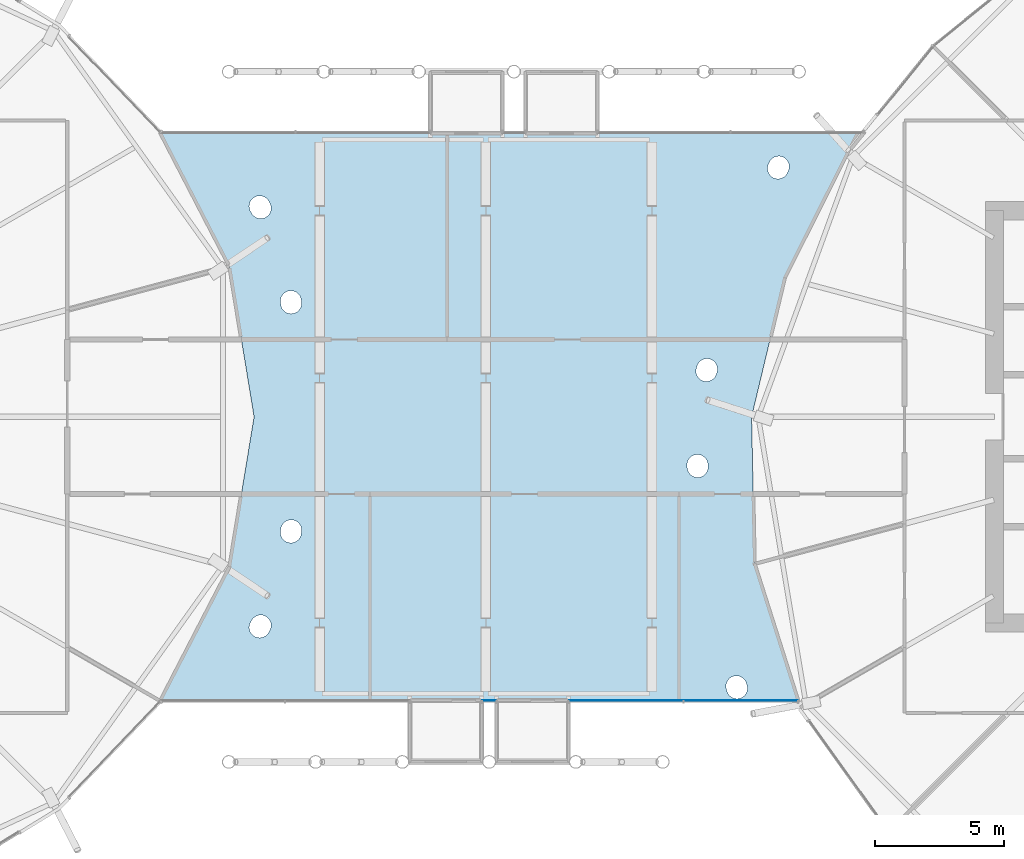
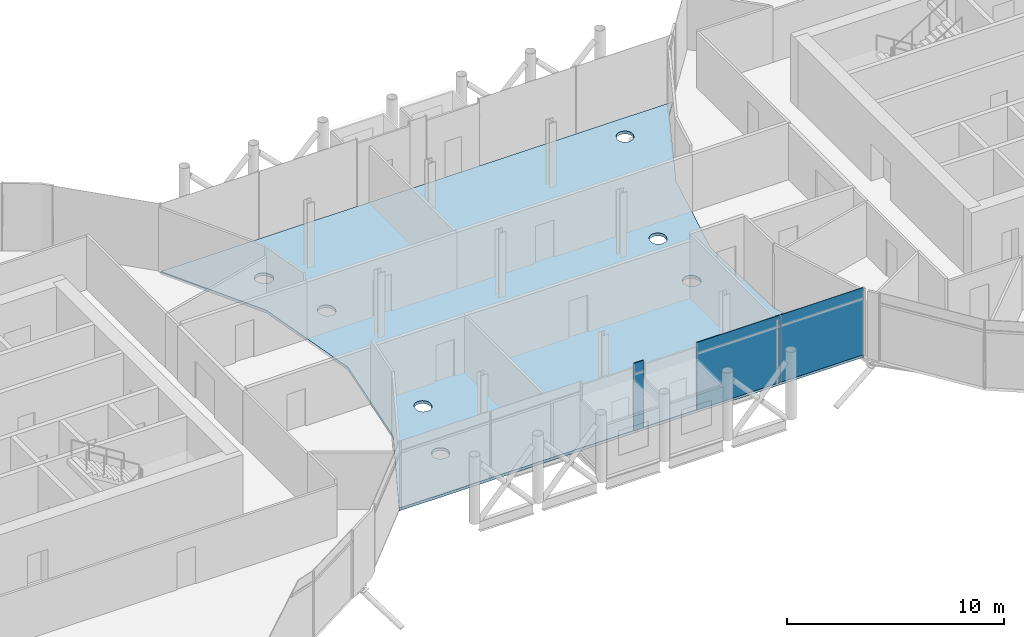
# One storey, part 21 of 40: 3 plates, 1 slab, 1 element without a shape of its own.
"""IFC4 building model written with IfcOpenShell, lengths in metres."""

from ifc_helpers import new_model, si_unit, direction, frame, origin, origin_2d, place, context, subcontext, project, spatial, polyline, rectangle, outline, extrude, material, layer, layer_set, type_object, element, aggregate, save


model = new_model("IFC4")

# Units and contexts
model_context = context("Model", 3, precision=1e-05, world=origin(), true_north=direction((0.0, 1.0)))
body_context = subcontext(model_context, "Body", "Model", "MODEL_VIEW")
ifc_project = project(units=[si_unit("LENGTHUNIT", "METRE"), si_unit("AREAUNIT", "SQUARE_METRE"), si_unit("VOLUMEUNIT", "CUBIC_METRE"), si_unit("PLANEANGLEUNIT", "RADIAN"), si_unit("MASSUNIT", "GRAM", prefix="KILO")], contexts=[model_context])

# Site, building, storey
site_placement = place(None, origin())
site = spatial("IfcSite", under=ifc_project, at=site_placement, CompositionType="ELEMENT")
building_placement = place(site_placement, origin())
building = spatial("IfcBuilding", under=site, at=building_placement, Name="Rimbun Link Towers", CompositionType="ELEMENT")
storey_placement = place(building_placement, frame((0.0, 0.0, 150.60009765625)))
storey = spatial("IfcBuildingStorey", under=building, at=storey_placement, Name="L36", CompositionType="ELEMENT", Elevation=150.60009765625)

# Curtain wall, plates
ifc_material_1 = material(Name="Aluminium 6063-T6 and low-iron glass", Category="aluminium")
curtain_wall_type = type_object("IfcCurtainWallType", Name="CW4 link block wall", PredefinedType="NOTDEFINED", material=ifc_material_1)
curtain_wall_placement = place(storey_placement, origin())
curtain_wall = element("IfcCurtainWall", 1, at=curtain_wall_placement, inside=storey, type_object=curtain_wall_type, Name="CW4 L36 LB", PredefinedType="NOTDEFINED")
ifc_material_2 = material(Name="Aluminium cladding, insulated panel", Category="aluminium")
ifc_layer_1 = layer(ifc_material_2, 0.028076171875)
ifc_layer_set_1 = layer_set([ifc_layer_1], Name="CW4 insulated panel Aluminium cladding 28")
plate_type_1 = type_object("IfcPlateType", Name="CW4 insulated panel Aluminium cladding 28", PredefinedType="CURTAIN_PANEL", material=ifc_layer_set_1)
plate_1_placement = place(storey_placement, frame((9.894287109375, -11.013916015625, 0.0), z_axis=(0.0, 0.0, 1.0), x_axis=(-1.0, 0.0, 0.0)))
plate_1 = element("IfcPlate", 2, at=plate_1_placement, type_object=plate_type_1, Name="CW4 insulated panel", PredefinedType="CURTAIN_PANEL", context=body_context, shape_type="SweptSolid", body=[
    extrude(rectangle(XDim=4.4140625, YDim=0.028076171875, at=origin_2d()), origin(), (0.0, 0.0, 1.0), 3.800048828125),
])
ifc_material_3 = material(Name="Low-iron glass, laminated low-e unit", Category="glass")
ifc_layer_2 = layer(ifc_material_3, 0.028076171875)
ifc_layer_set_2 = layer_set([ifc_layer_2], Name="CW4 panel Low-iron glass 28")
plate_type_2 = type_object("IfcPlateType", Name="CW4 panel Low-iron glass 28", PredefinedType="CURTAIN_PANEL", material=ifc_layer_set_2)
plate_2_placement = place(storey_placement, frame((5.4404296875, -11.013916015625, 0.0), z_axis=(0.0, 0.0, 1.0), x_axis=(-1.0, 0.0, 0.0)))
plate_2 = element("IfcPlate", 3, at=plate_2_placement, type_object=plate_type_2, Name="CW4 panel", PredefinedType="CURTAIN_PANEL", context=body_context, shape_type="SweptSolid", body=[
    extrude(rectangle(XDim=4.4140625, YDim=0.028076171875, at=origin_2d()), origin(), (0.0, 0.0, 1.0), 3.800048828125),
])
plate_3_placement = place(storey_placement, frame((0.12890625, -11.013916015625, 0.0), z_axis=(0.0, 0.0, 1.0), x_axis=(-1.0, 0.0, 0.0)))
plate_3 = element("IfcPlate", 4, at=plate_3_placement, type_object=plate_type_2, Name="CW4 panel", PredefinedType="CURTAIN_PANEL", context=body_context, shape_type="SweptSolid", body=[
    extrude(rectangle(XDim=0.529052734375, YDim=0.028076171875, at=origin_2d()), origin(), (0.0, 0.0, 1.0), 3.800048828125),
])
aggregate(curtain_wall, [plate_1, plate_2, plate_3])

# Slab
ifc_material_4 = material(Name="Concrete C40/50", Category="concrete")
ifc_layer_3 = layer(ifc_material_4, 0.159912109375)
ifc_layer_set_3 = layer_set([ifc_layer_3], Name="Link composite floor slab")
slab_type = type_object("IfcSlabType", Name="Link composite floor slab", PredefinedType="FLOOR", material=ifc_layer_set_3)
slab_placement = place(storey_placement, frame((0.0, 0.0, -0.16015625)))
element("IfcSlab", 5, at=slab_placement, inside=storey, type_object=slab_type, Name="Link floor slab L36", PredefinedType="FLOOR", context=body_context, shape_type="SweptSolid", body=[
    extrude(outline(polyline([(-9.956787109375, -5.839599609375), (-8.99658203125, 0.0), (-9.956787109375, 5.839599609375), (-12.626953125, 11.0), (14.66064453125, 11.0), (14.035400390625, 10.2275390625), (11.609375, 5.396728515625), (10.31884765625, 0.0), (10.439208984375, -5.710205078125), (12.121337890625, -11.0), (-12.626953125, -11.0), (-9.956787109375, -5.839599609375)]), holes=[polyline([(-8.565673828125, -8.516845703125), (-8.533203125, -8.494140625), (-8.5029296875, -8.46826171875), (-8.4755859375, -8.439453125), (-8.450927734375, -8.408203125), (-8.4296875, -8.374755859375), (-8.3876953125, -8.30078125), (-8.36962890625, -8.265380859375), (-8.355224609375, -8.228515625), (-8.344482421875, -8.190185546875), (-8.337646484375, -8.15087890625), (-8.334716796875, -8.111328125), (-8.335693359375, -8.07177734375), (-8.34033203125, -8.0322265625), (-8.34912109375, -7.993408203125), (-8.361328125, -7.955810546875), (-8.37744140625, -7.91943359375), (-8.39697265625, -7.884765625), (-8.419677734375, -7.852294921875), (-8.445556640625, -7.822021484375), (-8.474365234375, -7.794677734375), (-8.505615234375, -7.770263671875), (-8.5390625, -7.748779296875), (-8.574462890625, -7.73095703125), (-8.611572265625, -7.716552734375), (-8.64990234375, -7.705810546875), (-8.68896484375, -7.698974609375), (-8.728515625, -7.69580078125), (-8.768310546875, -7.69677734375), (-8.8076171875, -7.70166015625), (-8.846435546875, -7.710205078125), (-8.88427734375, -7.72265625), (-8.920654296875, -7.738525390625), (-8.955078125, -7.758056640625), (-8.98779296875, -7.781005859375), (-9.017822265625, -7.806884765625), (-9.04541015625, -7.83544921875), (-9.06982421875, -7.86669921875), (-9.091064453125, -7.900390625), (-9.13330078125, -7.97412109375), (-9.151123046875, -8.009521484375), (-9.16552734375, -8.046630859375), (-9.17626953125, -8.084716796875), (-9.18310546875, -8.123779296875), (-9.18603515625, -8.16357421875), (-9.185302734375, -8.203369140625), (-9.180419921875, -8.24267578125), (-9.171875, -8.281494140625), (-9.159423828125, -8.319091796875), (-9.143310546875, -8.355712890625), (-9.123779296875, -8.39013671875), (-9.10107421875, -8.422607421875), (-9.0751953125, -8.452880859375), (-9.04638671875, -8.480224609375), (-9.01513671875, -8.5048828125), (-8.981689453125, -8.526123046875), (-8.9462890625, -8.544189453125), (-8.9091796875, -8.55859375), (-8.87109375, -8.569091796875), (-8.831787109375, -8.575927734375), (-8.792236328125, -8.5791015625), (-8.75244140625, -8.578125), (-8.713134765625, -8.573486328125), (-8.67431640625, -8.564697265625), (-8.636474609375, -8.552490234375), (-8.60009765625, -8.536376953125), (-8.565673828125, -8.516845703125)]), polyline([(-7.89111328125, -4.17578125), (-7.911865234375, -4.20947265625), (-7.929443359375, -4.2451171875), (-7.943115234375, -4.282470703125), (-7.953369140625, -4.32080078125), (-7.959716796875, -4.360107421875), (-7.96923828125, -4.44482421875), (-7.9716796875, -4.484619140625), (-7.97021484375, -4.524169921875), (-7.965087890625, -4.563720703125), (-7.955810546875, -4.602294921875), (-7.943115234375, -4.639892578125), (-7.926513671875, -4.676025390625), (-7.906494140625, -4.710205078125), (-7.88330078125, -4.742431640625), (-7.85693359375, -4.772216796875), (-7.827880859375, -4.79931640625), (-7.79638671875, -4.823486328125), (-7.7626953125, -4.844482421875), (-7.726806640625, -4.86181640625), (-7.689697265625, -4.875732421875), (-7.6513671875, -4.885986328125), (-7.612060546875, -4.89208984375), (-7.572509765625, -4.894775390625), (-7.53271484375, -4.893310546875), (-7.493408203125, -4.887939453125), (-7.45458984375, -4.87890625), (-7.4169921875, -4.865966796875), (-7.381103515625, -4.849609375), (-7.3466796875, -4.82958984375), (-7.314453125, -4.806396484375), (-7.28466796875, -4.780029296875), (-7.257568359375, -4.7509765625), (-7.2333984375, -4.71923828125), (-7.212646484375, -4.685546875), (-7.195068359375, -4.64990234375), (-7.18115234375, -4.612548828125), (-7.171142578125, -4.57421875), (-7.164794921875, -4.534912109375), (-7.1552734375, -4.4501953125), (-7.152587890625, -4.410400390625), (-7.154052734375, -4.370849609375), (-7.159423828125, -4.331298828125), (-7.168701171875, -4.292724609375), (-7.181396484375, -4.255126953125), (-7.197998046875, -4.218994140625), (-7.218017578125, -4.184814453125), (-7.2412109375, -4.15234375), (-7.267333984375, -4.122802734375), (-7.29638671875, -4.095703125), (-7.328125, -4.071533203125), (-7.36181640625, -4.050537109375), (-7.397705078125, -4.033203125), (-7.434814453125, -4.019287109375), (-7.47314453125, -4.009033203125), (-7.512451171875, -4.002685546875), (-7.552001953125, -4.000244140625), (-7.591796875, -4.001708984375), (-7.631103515625, -4.007080078125), (-7.669921875, -4.01611328125), (-7.70751953125, -4.029052734375), (-7.743408203125, -4.04541015625), (-7.77783203125, -4.0654296875), (-7.81005859375, -4.088623046875), (-7.83984375, -4.114990234375), (-7.866943359375, -4.14404296875), (-7.89111328125, -4.17578125)]), polyline([(8.609130859375, -2.075927734375), (8.619384765625, -2.03759765625), (8.626220703125, -1.998291015625), (8.62890625, -1.958740234375), (8.627685546875, -1.919189453125), (8.62109375, -1.8369140625), (8.615966796875, -1.797607421875), (8.60693359375, -1.7587890625), (8.59423828125, -1.72119140625), (8.577880859375, -1.684814453125), (8.55810546875, -1.650390625), (8.53515625, -1.6181640625), (8.509033203125, -1.588134765625), (8.47998046875, -1.56103515625), (8.44873046875, -1.53662109375), (8.4150390625, -1.515625), (8.37939453125, -1.498046875), (8.34228515625, -1.48388671875), (8.303955078125, -1.473388671875), (8.2646484375, -1.467041015625), (8.22509765625, -1.46435546875), (8.185302734375, -1.465576171875), (8.14599609375, -1.470703125), (8.107421875, -1.4794921875), (8.069580078125, -1.4921875), (8.033447265625, -1.508544921875), (7.9990234375, -1.5283203125), (7.966552734375, -1.55126953125), (7.936767578125, -1.577392578125), (7.909423828125, -1.6064453125), (7.88525390625, -1.6376953125), (7.864013671875, -1.67138671875), (7.846435546875, -1.70703125), (7.83251953125, -1.744140625), (7.822021484375, -1.78271484375), (7.8154296875, -1.82177734375), (7.812744140625, -1.861328125), (7.81396484375, -1.901123046875), (7.820556640625, -1.9833984375), (7.82568359375, -2.022705078125), (7.83447265625, -2.061279296875), (7.84716796875, -2.09912109375), (7.863525390625, -2.13525390625), (7.88330078125, -2.169677734375), (7.906494140625, -2.201904296875), (7.9326171875, -2.23193359375), (7.96142578125, -2.25927734375), (7.992919921875, -2.283447265625), (8.026611328125, -2.304443359375), (8.06201171875, -2.322265625), (8.099365234375, -2.336181640625), (8.1376953125, -2.3466796875), (8.1767578125, -2.353271484375), (8.21630859375, -2.35595703125), (8.256103515625, -2.354736328125), (8.29541015625, -2.349609375), (8.334228515625, -2.3408203125), (8.371826171875, -2.327880859375), (8.408203125, -2.311767578125), (8.442626953125, -2.2919921875), (8.474853515625, -2.268798828125), (8.5048828125, -2.24267578125), (8.531982421875, -2.2138671875), (8.556396484375, -2.182373046875), (8.577392578125, -2.148681640625), (8.594970703125, -2.113037109375), (8.609130859375, -2.075927734375)]), polyline([(-7.168701171875, 4.292724609375), (-7.159423828125, 4.331298828125), (-7.154052734375, 4.370849609375), (-7.152587890625, 4.410400390625), (-7.1552734375, 4.4501953125), (-7.164794921875, 4.534912109375), (-7.171142578125, 4.57421875), (-7.18115234375, 4.612548828125), (-7.195068359375, 4.64990234375), (-7.212646484375, 4.685546875), (-7.2333984375, 4.71923828125), (-7.257568359375, 4.7509765625), (-7.28466796875, 4.780029296875), (-7.314453125, 4.806396484375), (-7.3466796875, 4.82958984375), (-7.381103515625, 4.849609375), (-7.4169921875, 4.865966796875), (-7.45458984375, 4.87890625), (-7.493408203125, 4.887939453125), (-7.53271484375, 4.893310546875), (-7.572509765625, 4.894775390625), (-7.612060546875, 4.89208984375), (-7.6513671875, 4.885986328125), (-7.689697265625, 4.875732421875), (-7.726806640625, 4.86181640625), (-7.7626953125, 4.844482421875), (-7.79638671875, 4.823486328125), (-7.827880859375, 4.79931640625), (-7.85693359375, 4.772216796875), (-7.88330078125, 4.742431640625), (-7.906494140625, 4.710205078125), (-7.926513671875, 4.676025390625), (-7.943115234375, 4.639892578125), (-7.955810546875, 4.602294921875), (-7.965087890625, 4.563720703125), (-7.97021484375, 4.524169921875), (-7.9716796875, 4.484619140625), (-7.96923828125, 4.44482421875), (-7.959716796875, 4.360107421875), (-7.953369140625, 4.32080078125), (-7.943115234375, 4.282470703125), (-7.929443359375, 4.2451171875), (-7.911865234375, 4.20947265625), (-7.89111328125, 4.17578125), (-7.866943359375, 4.14404296875), (-7.83984375, 4.114990234375), (-7.81005859375, 4.088623046875), (-7.77783203125, 4.0654296875), (-7.743408203125, 4.04541015625), (-7.70751953125, 4.029052734375), (-7.669921875, 4.01611328125), (-7.631103515625, 4.007080078125), (-7.591796875, 4.001708984375), (-7.552001953125, 4.000244140625), (-7.512451171875, 4.002685546875), (-7.47314453125, 4.009033203125), (-7.434814453125, 4.019287109375), (-7.397705078125, 4.033203125), (-7.36181640625, 4.050537109375), (-7.328125, 4.071533203125), (-7.29638671875, 4.095703125), (-7.267333984375, 4.122802734375), (-7.2412109375, 4.15234375), (-7.218017578125, 4.184814453125), (-7.197998046875, 4.218994140625), (-7.181396484375, 4.255126953125), (-7.168701171875, 4.292724609375)]), polyline([(-9.18310546875, 8.123779296875), (-9.17626953125, 8.084716796875), (-9.16552734375, 8.046630859375), (-9.151123046875, 8.009521484375), (-9.13330078125, 7.97412109375), (-9.091064453125, 7.900390625), (-9.06982421875, 7.86669921875), (-9.04541015625, 7.83544921875), (-9.017822265625, 7.806884765625), (-8.98779296875, 7.781005859375), (-8.955078125, 7.758056640625), (-8.920654296875, 7.738525390625), (-8.88427734375, 7.72265625), (-8.846435546875, 7.710205078125), (-8.8076171875, 7.70166015625), (-8.768310546875, 7.69677734375), (-8.728515625, 7.69580078125), (-8.68896484375, 7.698974609375), (-8.64990234375, 7.705810546875), (-8.611572265625, 7.716552734375), (-8.574462890625, 7.73095703125), (-8.5390625, 7.748779296875), (-8.505615234375, 7.770263671875), (-8.474365234375, 7.794677734375), (-8.445556640625, 7.822021484375), (-8.419677734375, 7.852294921875), (-8.39697265625, 7.884765625), (-8.37744140625, 7.91943359375), (-8.361328125, 7.955810546875), (-8.34912109375, 7.993408203125), (-8.34033203125, 8.0322265625), (-8.335693359375, 8.07177734375), (-8.334716796875, 8.111328125), (-8.337646484375, 8.15087890625), (-8.344482421875, 8.190185546875), (-8.355224609375, 8.228515625), (-8.36962890625, 8.265380859375), (-8.3876953125, 8.30078125), (-8.4296875, 8.374755859375), (-8.450927734375, 8.408203125), (-8.4755859375, 8.439453125), (-8.5029296875, 8.46826171875), (-8.533203125, 8.494140625), (-8.565673828125, 8.516845703125), (-8.60009765625, 8.536376953125), (-8.636474609375, 8.552490234375), (-8.67431640625, 8.564697265625), (-8.713134765625, 8.573486328125), (-8.75244140625, 8.578125), (-8.792236328125, 8.5791015625), (-8.831787109375, 8.575927734375), (-8.87109375, 8.569091796875), (-8.9091796875, 8.55859375), (-8.9462890625, 8.544189453125), (-8.981689453125, 8.526123046875), (-9.01513671875, 8.5048828125), (-9.04638671875, 8.480224609375), (-9.0751953125, 8.452880859375), (-9.10107421875, 8.422607421875), (-9.123779296875, 8.39013671875), (-9.143310546875, 8.355712890625), (-9.159423828125, 8.319091796875), (-9.171875, 8.281494140625), (-9.180419921875, 8.24267578125), (-9.185302734375, 8.203369140625), (-9.18603515625, 8.16357421875), (-9.18310546875, 8.123779296875)]), polyline([(9.333740234375, -10.37158203125), (9.326904296875, -10.41064453125), (9.323974609375, -10.4501953125), (9.32470703125, -10.489990234375), (9.32958984375, -10.529296875), (9.338134765625, -10.568115234375), (9.360595703125, -10.650146484375), (9.373046875, -10.687744140625), (9.38916015625, -10.72412109375), (9.40869140625, -10.7587890625), (9.431396484375, -10.791259765625), (9.457275390625, -10.8212890625), (9.486083984375, -10.848876953125), (9.51708984375, -10.873291015625), (9.55078125, -10.894775390625), (9.586181640625, -10.91259765625), (9.623291015625, -10.927001953125), (9.66162109375, -10.937744140625), (9.70068359375, -10.944580078125), (9.740234375, -10.947509765625), (9.780029296875, -10.94677734375), (9.8193359375, -10.94189453125), (9.858154296875, -10.933349609375), (9.89599609375, -10.9208984375), (9.932373046875, -10.90478515625), (9.966796875, -10.885498046875), (9.99951171875, -10.862548828125), (10.029541015625, -10.836669921875), (10.056884765625, -10.80810546875), (10.08154296875, -10.77685546875), (10.102783203125, -10.743408203125), (10.120849609375, -10.707763671875), (10.13525390625, -10.6708984375), (10.145751953125, -10.632568359375), (10.152587890625, -10.593505859375), (10.15576171875, -10.5537109375), (10.15478515625, -10.51416015625), (10.150146484375, -10.474609375), (10.141357421875, -10.435791015625), (10.118896484375, -10.35400390625), (10.106689453125, -10.316162109375), (10.090576171875, -10.27978515625), (10.071044921875, -10.245361328125), (10.04833984375, -10.212646484375), (10.0224609375, -10.1826171875), (9.99365234375, -10.155029296875), (9.96240234375, -10.130615234375), (9.928955078125, -10.109375), (9.8935546875, -10.09130859375), (9.8564453125, -10.076904296875), (9.818115234375, -10.06640625), (9.779052734375, -10.059326171875), (9.739501953125, -10.056396484375), (9.69970703125, -10.057373046875), (9.660400390625, -10.06201171875), (9.62158203125, -10.07080078125), (9.583740234375, -10.0830078125), (9.54736328125, -10.09912109375), (9.5126953125, -10.11865234375), (9.480224609375, -10.141357421875), (9.4501953125, -10.167236328125), (9.422607421875, -10.196044921875), (9.398193359375, -10.227294921875), (9.376708984375, -10.2607421875), (9.35888671875, -10.296142578125), (9.344482421875, -10.333251953125), (9.333740234375, -10.37158203125)]), polyline([(8.267822265625, 2.103759765625), (8.244873046875, 2.0712890625), (8.225341796875, 2.036865234375), (8.208984375, 2.00048828125), (8.196533203125, 1.962890625), (8.1748046875, 1.884765625), (8.166015625, 1.84619140625), (8.160888671875, 1.806640625), (8.159912109375, 1.76708984375), (8.162841796875, 1.727294921875), (8.16943359375, 1.688232421875), (8.179931640625, 1.64990234375), (8.194091796875, 1.61279296875), (8.2119140625, 1.577392578125), (8.233154296875, 1.543701171875), (8.257568359375, 1.51220703125), (8.284912109375, 1.4833984375), (8.31494140625, 1.45751953125), (8.347412109375, 1.4345703125), (8.3818359375, 1.414794921875), (8.418212890625, 1.398681640625), (8.455810546875, 1.385986328125), (8.494384765625, 1.377197265625), (8.533935546875, 1.372314453125), (8.57373046875, 1.371337890625), (8.61328125, 1.3740234375), (8.65234375, 1.380859375), (8.69091796875, 1.391357421875), (8.727783203125, 1.405517578125), (8.763427734375, 1.42333984375), (8.797119140625, 1.444580078125), (8.828369140625, 1.468994140625), (8.857177734375, 1.49609375), (8.88330078125, 1.526123046875), (8.90625, 1.55859375), (8.92578125, 1.59326171875), (8.94189453125, 1.62939453125), (8.95458984375, 1.6669921875), (8.976318359375, 1.7451171875), (8.985107421875, 1.783935546875), (8.989990234375, 1.823486328125), (8.9912109375, 1.863037109375), (8.98828125, 1.902587890625), (8.981689453125, 1.94189453125), (8.97119140625, 1.980224609375), (8.956787109375, 2.017333984375), (8.939208984375, 2.052734375), (8.91796875, 2.08642578125), (8.8935546875, 2.117919921875), (8.8662109375, 2.146484375), (8.836181640625, 2.172607421875), (8.8037109375, 2.195556640625), (8.769287109375, 2.215087890625), (8.73291015625, 2.2314453125), (8.6953125, 2.243896484375), (8.656494140625, 2.252685546875), (8.6171875, 2.2578125), (8.577392578125, 2.2587890625), (8.537841796875, 2.255859375), (8.498779296875, 2.249267578125), (8.460205078125, 2.23876953125), (8.42333984375, 2.224609375), (8.3876953125, 2.206787109375), (8.35400390625, 2.185546875), (8.32275390625, 2.1611328125), (8.2939453125, 2.1337890625), (8.267822265625, 2.103759765625)]), polyline([(11.623779296875, 9.35009765625), (11.65087890625, 9.379150390625), (11.67529296875, 9.410400390625), (11.6962890625, 9.4443359375), (11.7138671875, 9.47998046875), (11.7451171875, 9.552001953125), (11.75927734375, 9.589111328125), (11.76953125, 9.62744140625), (11.776123046875, 9.66650390625), (11.77880859375, 9.706298828125), (11.777587890625, 9.74609375), (11.772216796875, 9.785400390625), (11.763427734375, 9.823974609375), (11.75048828125, 9.86181640625), (11.734375, 9.89794921875), (11.714599609375, 9.932373046875), (11.69140625, 9.964599609375), (11.665283203125, 9.994384765625), (11.63623046875, 10.021728515625), (11.604736328125, 10.0458984375), (11.571044921875, 10.06689453125), (11.535400390625, 10.084716796875), (11.498291015625, 10.0986328125), (11.4599609375, 10.10888671875), (11.420654296875, 10.115478515625), (11.381103515625, 10.1181640625), (11.34130859375, 10.11669921875), (11.302001953125, 10.11181640625), (11.26318359375, 10.102783203125), (11.2255859375, 10.090087890625), (11.189453125, 10.07373046875), (11.155029296875, 10.0537109375), (11.122802734375, 10.03076171875), (11.0927734375, 10.004638671875), (11.065673828125, 9.9755859375), (11.04150390625, 9.944091796875), (11.0205078125, 9.910400390625), (11.002685546875, 9.874755859375), (10.971435546875, 9.802734375), (10.95751953125, 9.765625), (10.947021484375, 9.727294921875), (10.940673828125, 9.68798828125), (10.93798828125, 9.6484375), (10.939208984375, 9.608642578125), (10.9443359375, 9.5693359375), (10.953369140625, 9.530517578125), (10.966064453125, 9.492919921875), (10.982421875, 9.456787109375), (11.002197265625, 9.42236328125), (11.025390625, 9.389892578125), (11.051513671875, 9.360107421875), (11.080322265625, 9.3330078125), (11.11181640625, 9.30859375), (11.1455078125, 9.28759765625), (11.18115234375, 9.27001953125), (11.218505859375, 9.256103515625), (11.256591796875, 9.24560546875), (11.2958984375, 9.2392578125), (11.335693359375, 9.236572265625), (11.375244140625, 9.23779296875), (11.414794921875, 9.242919921875), (11.453369140625, 9.251953125), (11.490966796875, 9.2646484375), (11.527099609375, 9.281005859375), (11.5615234375, 9.30078125), (11.593994140625, 9.323974609375), (11.623779296875, 9.35009765625)])]), origin(), (0.0, 0.0, 1.0), 0.16015625),
])

save(model, "model.ifc")
